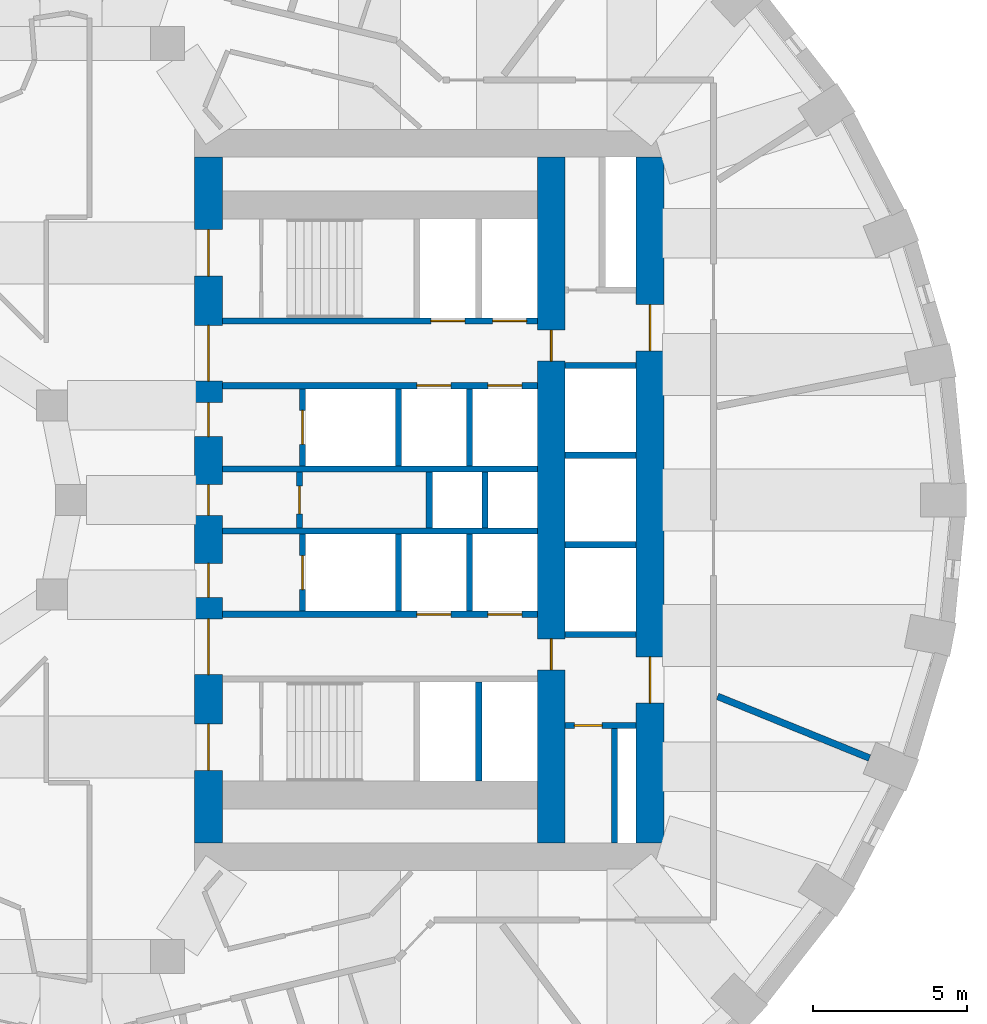
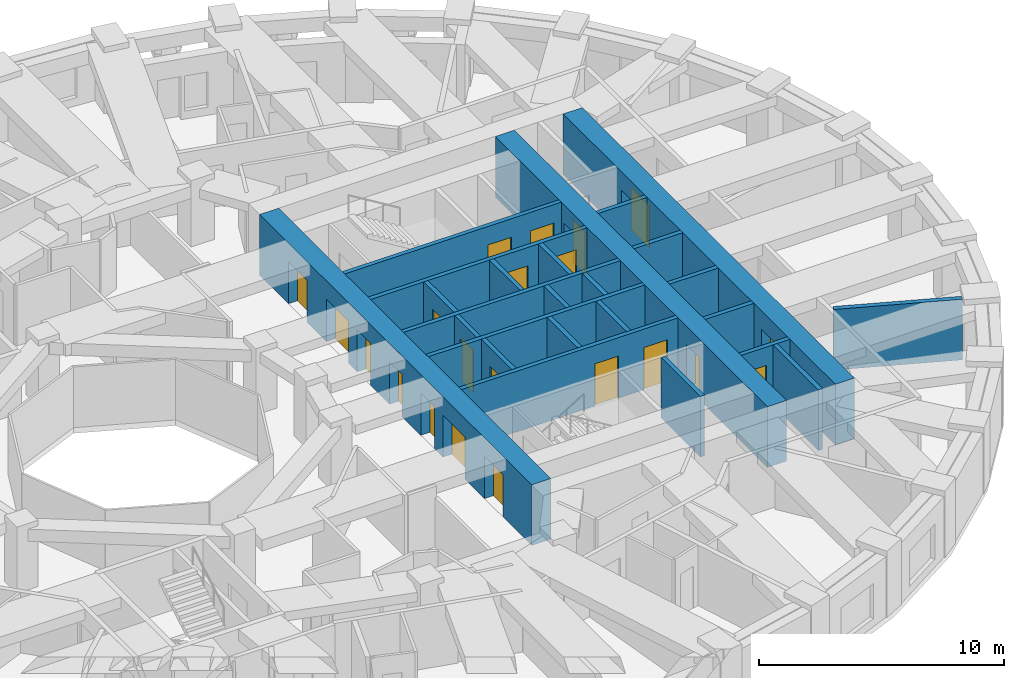
# One storey, part 6 of 14: 25 walls, 21 doors, 21 openings.
"""IFC4 building model written with IfcOpenShell, lengths in metres."""

from ifc_helpers import new_model, si_unit, direction, frame, frame_2d, origin, place, context, subcontext, project, spatial, rectangle, extrude, material, layer, layer_set, type_object, element, fill, save


model = new_model("IFC4")

# Units and contexts
model_context = context("Model", 3, precision=1e-05, world=origin(), true_north=direction((0.0, 1.0)))
body_context = subcontext(model_context, "Body", "Model", "MODEL_VIEW")
ifc_project = project(units=[si_unit("LENGTHUNIT", "METRE"), si_unit("AREAUNIT", "SQUARE_METRE"), si_unit("VOLUMEUNIT", "CUBIC_METRE"), si_unit("PLANEANGLEUNIT", "RADIAN"), si_unit("MASSUNIT", "GRAM", prefix="KILO")], contexts=[model_context])

# Site, building, storey
site_placement = place(None, origin())
site = spatial("IfcSite", under=ifc_project, at=site_placement, CompositionType="ELEMENT")
building_placement = place(site_placement, origin())
building = spatial("IfcBuilding", under=site, at=building_placement, Name="Taillehof Tower", CompositionType="ELEMENT")
storey_placement = place(building_placement, frame((0.0, 0.0, 25.0)))
storey = spatial("IfcBuildingStorey", under=building, at=storey_placement, Name="L05", CompositionType="ELEMENT", Elevation=25.0)

# Wall, opening, door
ifc_material_1 = material(Name="Calcium silicate masonry", Category="masonry")
ifc_layer_1 = layer(ifc_material_1, 0.199951171875)
ifc_layer_set_1 = layer_set([ifc_layer_1], Name="Compartment wall calcium silicate 200")
wall_type_1 = type_object("IfcWallType", Name="Compartment wall calcium silicate 200", PredefinedType="PARTITIONING", material=ifc_layer_set_1)
wall_1_placement = place(storey_placement, frame((7.39990234375, -0.89990234375, 0.0), z_axis=(0.0, 0.0, 1.0), x_axis=(0.0, 1.0, 0.0)))
wall_1 = element("IfcWall", 1, at=wall_1_placement, inside=storey, type_object=wall_type_1, Name="Compartment wall FW", PredefinedType="PARTITIONING", context=body_context, shape_type="SweptSolid", body=[
    extrude(rectangle(XDim=1.7998046875, YDim=0.199951171875, at=frame_2d((0.89990234375, 0.0))), origin(), (0.0, 0.0, 1.0), 3.02001953125),
])
opening_1_placement = place(wall_1_placement, frame((0.449951171875, 0.0, 0.0)))
opening_1 = element("IfcOpeningElement", 2, at=opening_1_placement, cuts=wall_1, Name="Opening D0514", PredefinedType="OPENING", context=body_context, shape_type="SweptSolid", body=[
    extrude(rectangle(XDim=0.89990234375, YDim=2.10009765625, at=frame_2d((0.449951171875, 1.050048828125))), frame((0.0, 0.10986328125, 0.0), z_axis=(0.0, -1.0, 0.0), x_axis=(1.0, 0.0, 0.0)), (0.0, 0.0, 1.0), 0.219970703125),
])
ifc_material_2 = material(Name="Steel-faced fire door", Category="steel")
door_type_1 = type_object("IfcDoorType", Name="Riser and service room door 900x2100", OperationType="SINGLE_SWING_LEFT", PredefinedType="DOOR", material=ifc_material_2)
door_1_placement = place(opening_1_placement, origin())
door_1 = element("IfcDoor", 3, at=door_1_placement, inside=storey, type_object=door_type_1, Name="Door Fire Safety Store", OperationType="SINGLE_SWING_RIGHT", OverallHeight=2.10009765625, OverallWidth=0.89990234375, PredefinedType="DOOR", context=body_context, shape_type="SweptSolid", body=[
    extrude(rectangle(XDim=0.89990234375, YDim=2.10009765625, at=frame_2d((0.449951171875, 1.050048828125))), frame((0.0, 0.02490234375, 0.0), z_axis=(0.0, -1.0, 0.0), x_axis=(1.0, 0.0, 0.0)), (0.0, 0.0, 1.0), 0.050048828125),
])
fill(opening_1, door_1)

# Walls
for number, where, z_axis, x_axis, name in (
    (4, (11.60009765625, -0.89990234375, 0.0), (0.0, 0.0, 1.0), (0.0, 1.0, 0.0), "Compartment wall FW"),
    (5, (13.39990234375, -0.89990234375, 0.0), (0.0, 0.0, 1.0), (0.0, 1.0, 0.0), "Compartment wall FW"),
):
    element("IfcWall", number, at=place(storey_placement, frame(where, z_axis=z_axis, x_axis=x_axis)), inside=storey, type_object=wall_type_1, Name=name, PredefinedType="PARTITIONING", context=body_context, shape_type="SweptSolid", body=[
        extrude(rectangle(XDim=1.7998046875, YDim=0.199951171875, at=frame_2d((0.89990234375, 0.0))), origin(), (0.0, 0.0, 1.0), 3.02001953125),
    ])

# Wall, opening, door
wall_2_placement = place(storey_placement, frame((16.0, -7.300048828125, 0.0), z_axis=(0.0, 0.0, 1.0), x_axis=(1.0, 0.0, 0.0)))
wall_2 = element("IfcWall", 6, at=wall_2_placement, inside=storey, type_object=wall_type_1, Name="Compartment wall FW", PredefinedType="PARTITIONING", context=body_context, shape_type="SweptSolid", body=[
    extrude(rectangle(XDim=2.300048828125, YDim=0.199951171875, at=frame_2d((1.14990234375, 0.0))), origin(), (0.0, 0.0, 1.0), 3.02001953125),
])
opening_2_placement = place(wall_2_placement, frame((0.300048828125, 0.0, 0.0)))
opening_2 = element("IfcOpeningElement", 7, at=opening_2_placement, cuts=wall_2, Name="Opening D0518", PredefinedType="OPENING", context=body_context, shape_type="SweptSolid", body=[
    extrude(rectangle(XDim=0.89990234375, YDim=2.10009765625, at=frame_2d((0.449951171875, 1.050048828125))), frame((0.0, 0.10986328125, 0.0), z_axis=(0.0, -1.0, 0.0), x_axis=(1.0, 0.0, 0.0)), (0.0, 0.0, 1.0), 0.219970703125),
])
door_2_placement = place(opening_2_placement, origin())
door_2 = element("IfcDoor", 8, at=door_2_placement, inside=storey, type_object=door_type_1, Name="Door Housekeeping Store", OperationType="SINGLE_SWING_LEFT", OverallHeight=2.10009765625, OverallWidth=0.89990234375, PredefinedType="DOOR", context=body_context, shape_type="SweptSolid", body=[
    extrude(rectangle(XDim=0.89990234375, YDim=2.10009765625, at=frame_2d((0.449951171875, 1.050048828125))), frame((0.0, 0.02490234375, 0.0), z_axis=(0.0, -1.0, 0.0), x_axis=(1.0, 0.0, 0.0)), (0.0, 0.0, 1.0), 0.050048828125),
])
fill(opening_2, door_2)

# Walls
wall_3_placement = place(storey_placement, frame((17.60009765625, -11.10009765625, 0.0), z_axis=(0.0, 0.0, 1.0), x_axis=(0.0, 1.0, 0.0)))
element("IfcWall", 9, at=wall_3_placement, inside=storey, type_object=wall_type_1, Name="Compartment wall FW", PredefinedType="PARTITIONING", context=body_context, shape_type="SweptSolid", body=[
    extrude(rectangle(XDim=3.7001953125, YDim=0.199951171875, at=frame_2d((1.85009765625, 0.0))), origin(), (0.0, 0.0, 1.0), 3.02001953125),
])
ifc_material_3 = material(Name="Gypsum board on double steel studs with mineral wool", Category="steel")
ifc_layer_2 = layer(ifc_material_3, 0.219970703125)
ifc_layer_set_2 = layer_set([ifc_layer_2], Name="Compartment wall guest room 220")
wall_type_2 = type_object("IfcWallType", Name="Compartment wall guest room 220", PredefinedType="PARTITIONING", material=ifc_layer_set_2)
wall_4_placement = place(storey_placement, frame((25.851318359375, -8.35400390625, 0.0), z_axis=(0.0, 0.0, 1.0), x_axis=(-0.926546814299, 0.376179479653, 0.0)))
element("IfcWall", 10, at=wall_4_placement, inside=storey, type_object=wall_type_2, Name="Compartment wall", PredefinedType="PARTITIONING", context=body_context, shape_type="SweptSolid", body=[
    extrude(rectangle(XDim=5.3037109375, YDim=0.219970703125, at=frame_2d((2.65185546875, 0.0))), origin(), (0.0, 0.0, 1.0), 3.02001953125),
])

# Wall, openings, doors
ifc_material_4 = material(Name="Concrete C80/95", Category="concrete")
ifc_layer_3 = layer(ifc_material_4, 0.89990234375)
ifc_layer_set_3 = layer_set([ifc_layer_3], Name="Core wall C80/95 900")
wall_type_3 = type_object("IfcWallType", Name="Core wall C80/95 900", PredefinedType="SHEAR", material=ifc_layer_set_3)
wall_5_placement = place(storey_placement, frame((4.449951171875, -11.10009765625, 0.0), z_axis=(0.0, 0.0, 1.0), x_axis=(0.0, 1.0, 0.0)))
wall_5 = element("IfcWall", 11, at=wall_5_placement, inside=storey, type_object=wall_type_3, Name="Core wall CW01", PredefinedType="SHEAR", context=body_context, shape_type="SweptSolid", body=[
    extrude(rectangle(XDim=22.2001953125, YDim=0.89990234375, at=frame_2d((11.10009765625, 0.0))), origin(), (0.0, 0.0, 1.0), 3.02001953125),
])
opening_3_placement = place(wall_5_placement, frame((2.35009765625, 0.0, 0.0)))
opening_3 = element("IfcOpeningElement", 12, at=opening_3_placement, cuts=wall_5, Name="Opening D0501", PredefinedType="OPENING", context=body_context, shape_type="SweptSolid", body=[
    extrude(rectangle(XDim=1.5, YDim=2.10009765625, at=frame_2d((0.75, 1.050048828125))), frame((0.0, 0.4599609375, 0.0), z_axis=(0.0, -1.0, 0.0), x_axis=(1.0, 0.0, 0.0)), (0.0, 0.0, 1.0), 0.919921875),
])
opening_4_placement = place(wall_5_placement, frame((5.449951171875, 0.0, 0.0)))
opening_4 = element("IfcOpeningElement", 13, at=opening_4_placement, cuts=wall_5, Name="Opening D0502", PredefinedType="OPENING", context=body_context, shape_type="SweptSolid", body=[
    extrude(rectangle(XDim=1.800048828125, YDim=2.10009765625, at=frame_2d((0.89990234375, 1.050048828125))), frame((0.0, 0.4599609375, 0.0), z_axis=(0.0, -1.0, 0.0), x_axis=(1.0, 0.0, 0.0)), (0.0, 0.0, 1.0), 0.919921875),
])
opening_5_placement = place(wall_5_placement, frame((7.949951171875, 0.0, 0.0)))
opening_5 = element("IfcOpeningElement", 14, at=opening_5_placement, cuts=wall_5, Name="Opening D0503", PredefinedType="OPENING", context=body_context, shape_type="SweptSolid", body=[
    extrude(rectangle(XDim=1.10009765625, YDim=2.10009765625, at=frame_2d((0.550048828125, 1.050048828125))), frame((0.0, 0.4599609375, 0.0), z_axis=(0.0, -1.0, 0.0), x_axis=(1.0, 0.0, 0.0)), (0.0, 0.0, 1.0), 0.919921875),
])
opening_6_placement = place(wall_5_placement, frame((10.60009765625, 0.0, 0.0)))
opening_6 = element("IfcOpeningElement", 15, at=opening_6_placement, cuts=wall_5, Name="Opening D0504", PredefinedType="OPENING", context=body_context, shape_type="SweptSolid", body=[
    extrude(rectangle(XDim=1.0, YDim=2.10009765625, at=frame_2d((0.5, 1.050048828125))), frame((0.0, 0.4599609375, 0.0), z_axis=(0.0, -1.0, 0.0), x_axis=(1.0, 0.0, 0.0)), (0.0, 0.0, 1.0), 0.919921875),
])
opening_7_placement = place(wall_5_placement, frame((13.14990234375, 0.0, 0.0)))
opening_7 = element("IfcOpeningElement", 16, at=opening_7_placement, cuts=wall_5, Name="Opening D0505", PredefinedType="OPENING", context=body_context, shape_type="SweptSolid", body=[
    extrude(rectangle(XDim=1.10009765625, YDim=2.10009765625, at=frame_2d((0.550048828125, 1.050048828125))), frame((0.0, 0.4599609375, 0.0), z_axis=(0.0, -1.0, 0.0), x_axis=(1.0, 0.0, 0.0)), (0.0, 0.0, 1.0), 0.919921875),
])
opening_8_placement = place(wall_5_placement, frame((14.949951171875, 0.0, 0.0)))
opening_8 = element("IfcOpeningElement", 17, at=opening_8_placement, cuts=wall_5, Name="Opening D0506", PredefinedType="OPENING", context=body_context, shape_type="SweptSolid", body=[
    extrude(rectangle(XDim=1.800048828125, YDim=2.10009765625, at=frame_2d((0.89990234375, 1.050048828125))), frame((0.0, 0.4599609375, 0.0), z_axis=(0.0, -1.0, 0.0), x_axis=(1.0, 0.0, 0.0)), (0.0, 0.0, 1.0), 0.919921875),
])
opening_9_placement = place(wall_5_placement, frame((18.35009765625, 0.0, 0.0)))
opening_9 = element("IfcOpeningElement", 18, at=opening_9_placement, cuts=wall_5, Name="Opening D0507", PredefinedType="OPENING", context=body_context, shape_type="SweptSolid", body=[
    extrude(rectangle(XDim=1.5, YDim=2.10009765625, at=frame_2d((0.75, 1.050048828125))), frame((0.0, 0.4599609375, 0.0), z_axis=(0.0, -1.0, 0.0), x_axis=(1.0, 0.0, 0.0)), (0.0, 0.0, 1.0), 0.919921875),
])
ifc_material_5 = material(Name="Steel-faced fire door", Category="steel")
door_type_2 = type_object("IfcDoorType", Name="Firefighting lobby door 1100x2100", OperationType="SINGLE_SWING_RIGHT", PredefinedType="DOOR", material=ifc_material_5)
door_3_placement = place(opening_5_placement, origin())
door_3 = element("IfcDoor", 19, at=door_3_placement, inside=storey, type_object=door_type_2, Name="Firefighting lobby door FFL-S", OperationType="SINGLE_SWING_RIGHT", OverallHeight=2.10009765625, OverallWidth=1.10009765625, PredefinedType="DOOR", context=body_context, shape_type="SweptSolid", body=[
    extrude(rectangle(XDim=1.10009765625, YDim=2.10009765625, at=frame_2d((0.550048828125, 1.050048828125))), frame((0.0, 0.02490234375, 0.0), z_axis=(0.0, -1.0, 0.0), x_axis=(1.0, 0.0, 0.0)), (0.0, 0.0, 1.0), 0.050048828125),
])
fill(opening_5, door_3)
door_4_placement = place(opening_7_placement, origin())
door_4 = element("IfcDoor", 20, at=door_4_placement, inside=storey, type_object=door_type_2, Name="Firefighting lobby door FFL-N", OperationType="SINGLE_SWING_LEFT", OverallHeight=2.10009765625, OverallWidth=1.10009765625, PredefinedType="DOOR", context=body_context, shape_type="SweptSolid", body=[
    extrude(rectangle(XDim=1.10009765625, YDim=2.10009765625, at=frame_2d((0.550048828125, 1.050048828125))), frame((0.0, 0.02490234375, 0.0), z_axis=(0.0, -1.0, 0.0), x_axis=(1.0, 0.0, 0.0)), (0.0, 0.0, 1.0), 0.050048828125),
])
fill(opening_7, door_4)
ifc_material_6 = material(Name="Steel-faced fire door", Category="steel")
door_type_3 = type_object("IfcDoorType", Name="Lift lobby door 1800x2100", OperationType="DOUBLE_DOOR_SINGLE_SWING", PredefinedType="DOOR", material=ifc_material_6)
door_5_placement = place(opening_4_placement, origin())
door_5 = element("IfcDoor", 21, at=door_5_placement, inside=storey, type_object=door_type_3, Name="Lift lobby door LL-S", OperationType="DOUBLE_DOOR_SINGLE_SWING", OverallHeight=2.10009765625, OverallWidth=1.800048828125, PredefinedType="DOOR", context=body_context, shape_type="SweptSolid", body=[
    extrude(rectangle(XDim=1.800048828125, YDim=2.10009765625, at=frame_2d((0.89990234375, 1.050048828125))), frame((0.0, 0.02490234375, 0.0), z_axis=(0.0, -1.0, 0.0), x_axis=(1.0, 0.0, 0.0)), (0.0, 0.0, 1.0), 0.050048828125),
])
fill(opening_4, door_5)
door_6_placement = place(opening_8_placement, origin())
door_6 = element("IfcDoor", 22, at=door_6_placement, inside=storey, type_object=door_type_3, Name="Lift lobby door LL-N", OperationType="DOUBLE_DOOR_SINGLE_SWING", OverallHeight=2.10009765625, OverallWidth=1.800048828125, PredefinedType="DOOR", context=body_context, shape_type="SweptSolid", body=[
    extrude(rectangle(XDim=1.800048828125, YDim=2.10009765625, at=frame_2d((0.89990234375, 1.050048828125))), frame((0.0, 0.02490234375, 0.0), z_axis=(0.0, -1.0, 0.0), x_axis=(1.0, 0.0, 0.0)), (0.0, 0.0, 1.0), 0.050048828125),
])
fill(opening_8, door_6)
ifc_material_7 = material(Name="Steel-faced fire door", Category="steel")
door_type_4 = type_object("IfcDoorType", Name="Service door 1000x2100", OperationType="SINGLE_SWING_RIGHT", PredefinedType="DOOR", material=ifc_material_7)
door_7_placement = place(opening_6_placement, origin())
door_7 = element("IfcDoor", 23, at=door_7_placement, inside=storey, type_object=door_type_4, Name="Service door SV", OperationType="SINGLE_SWING_RIGHT", OverallHeight=2.10009765625, OverallWidth=1.0, PredefinedType="DOOR", context=body_context, shape_type="SweptSolid", body=[
    extrude(rectangle(XDim=1.0, YDim=2.10009765625, at=frame_2d((0.5, 1.050048828125))), frame((0.0, 0.02490234375, 0.0), z_axis=(0.0, -1.0, 0.0), x_axis=(1.0, 0.0, 0.0)), (0.0, 0.0, 1.0), 0.050048828125),
])
fill(opening_6, door_7)
ifc_material_8 = material(Name="Steel-faced fire door", Category="steel")
door_type_5 = type_object("IfcDoorType", Name="Stair door 1500x2100", OperationType="DOUBLE_DOOR_SINGLE_SWING", PredefinedType="DOOR", material=ifc_material_8)
door_8_placement = place(opening_3_placement, origin())
door_8 = element("IfcDoor", 24, at=door_8_placement, inside=storey, type_object=door_type_5, Name="Stair door S2", OperationType="DOUBLE_DOOR_SINGLE_SWING", OverallHeight=2.10009765625, OverallWidth=1.5, PredefinedType="DOOR", context=body_context, shape_type="SweptSolid", body=[
    extrude(rectangle(XDim=1.5, YDim=2.10009765625, at=frame_2d((0.75, 1.050048828125))), frame((0.0, 0.02490234375, 0.0), z_axis=(0.0, -1.0, 0.0), x_axis=(1.0, 0.0, 0.0)), (0.0, 0.0, 1.0), 0.050048828125),
])
fill(opening_3, door_8)
door_9_placement = place(opening_9_placement, origin())
door_9 = element("IfcDoor", 25, at=door_9_placement, inside=storey, type_object=door_type_5, Name="Stair door S1", OperationType="DOUBLE_DOOR_SINGLE_SWING", OverallHeight=2.10009765625, OverallWidth=1.5, PredefinedType="DOOR", context=body_context, shape_type="SweptSolid", body=[
    extrude(rectangle(XDim=1.5, YDim=2.10009765625, at=frame_2d((0.75, 1.050048828125))), frame((0.0, 0.02490234375, 0.0), z_axis=(0.0, -1.0, 0.0), x_axis=(1.0, 0.0, 0.0)), (0.0, 0.0, 1.0), 0.050048828125),
])
fill(opening_9, door_9)

wall_6_placement = place(storey_placement, frame((18.75, -11.10009765625, 0.0), z_axis=(0.0, 0.0, 1.0), x_axis=(0.0, 1.0, 0.0)))
wall_6 = element("IfcWall", 26, at=wall_6_placement, inside=storey, type_object=wall_type_3, Name="Core wall CW02", PredefinedType="SHEAR", context=body_context, shape_type="SweptSolid", body=[
    extrude(rectangle(XDim=22.2001953125, YDim=0.89990234375, at=frame_2d((11.10009765625, 0.0))), origin(), (0.0, 0.0, 1.0), 3.02001953125),
])
opening_10_placement = place(wall_6_placement, frame((15.925048828125, 0.0, 0.0)))
opening_10 = element("IfcOpeningElement", 27, at=opening_10_placement, cuts=wall_6, Name="Opening D0508", PredefinedType="OPENING", context=body_context, shape_type="SweptSolid", body=[
    extrude(rectangle(XDim=1.5, YDim=2.10009765625, at=frame_2d((0.75, 1.050048828125))), frame((0.0, 0.4599609375, 0.0), z_axis=(0.0, -1.0, 0.0), x_axis=(1.0, 0.0, 0.0)), (0.0, 0.0, 1.0), 0.919921875),
])
opening_11_placement = place(wall_6_placement, frame((4.52490234375, 0.0, 0.0)))
opening_11 = element("IfcOpeningElement", 28, at=opening_11_placement, cuts=wall_6, Name="Opening D0509", PredefinedType="OPENING", context=body_context, shape_type="SweptSolid", body=[
    extrude(rectangle(XDim=1.5, YDim=2.10009765625, at=frame_2d((0.75, 1.050048828125))), frame((0.0, 0.4599609375, 0.0), z_axis=(0.0, -1.0, 0.0), x_axis=(1.0, 0.0, 0.0)), (0.0, 0.0, 1.0), 0.919921875),
])
ifc_material_9 = material(Name="Steel-faced fire door", Category="steel")
door_type_6 = type_object("IfcDoorType", Name="Lift lobby east door 1500x2100", OperationType="DOUBLE_DOOR_SINGLE_SWING", PredefinedType="DOOR", material=ifc_material_9)
door_10_placement = place(opening_10_placement, origin())
door_10 = element("IfcDoor", 29, at=door_10_placement, inside=storey, type_object=door_type_6, Name="Lift lobby east door north", OperationType="DOUBLE_DOOR_SINGLE_SWING", OverallHeight=2.10009765625, OverallWidth=1.5, PredefinedType="DOOR", context=body_context, shape_type="SweptSolid", body=[
    extrude(rectangle(XDim=1.5, YDim=2.10009765625, at=frame_2d((0.75, 1.050048828125))), frame((0.0, 0.02490234375, 0.0), z_axis=(0.0, -1.0, 0.0), x_axis=(1.0, 0.0, 0.0)), (0.0, 0.0, 1.0), 0.050048828125),
])
fill(opening_10, door_10)
door_11_placement = place(opening_11_placement, origin())
door_11 = element("IfcDoor", 30, at=door_11_placement, inside=storey, type_object=door_type_6, Name="Lift lobby east door south", OperationType="DOUBLE_DOOR_SINGLE_SWING", OverallHeight=2.10009765625, OverallWidth=1.5, PredefinedType="DOOR", context=body_context, shape_type="SweptSolid", body=[
    extrude(rectangle(XDim=1.5, YDim=2.10009765625, at=frame_2d((0.75, 1.050048828125))), frame((0.0, 0.02490234375, 0.0), z_axis=(0.0, -1.0, 0.0), x_axis=(1.0, 0.0, 0.0)), (0.0, 0.0, 1.0), 0.050048828125),
])
fill(opening_11, door_11)

wall_7_placement = place(storey_placement, frame((15.550048828125, -11.10009765625, 0.0), z_axis=(0.0, 0.0, 1.0), x_axis=(0.0, 1.0, 0.0)))
wall_7 = element("IfcWall", 31, at=wall_7_placement, inside=storey, type_object=wall_type_3, Name="Core wall CW05", PredefinedType="SHEAR", context=body_context, shape_type="SweptSolid", body=[
    extrude(rectangle(XDim=22.2001953125, YDim=0.89990234375, at=frame_2d((11.10009765625, 0.0))), origin(), (0.0, 0.0, 1.0), 3.02001953125),
])
opening_12_placement = place(wall_7_placement, frame((15.60009765625, 0.0, 0.0)))
opening_12 = element("IfcOpeningElement", 32, at=opening_12_placement, cuts=wall_7, Name="Opening D0515", PredefinedType="OPENING", context=body_context, shape_type="SweptSolid", body=[
    extrude(rectangle(XDim=1.0, YDim=2.10009765625, at=frame_2d((0.5, 1.050048828125))), frame((0.0, 0.4599609375, 0.0), z_axis=(0.0, -1.0, 0.0), x_axis=(1.0, 0.0, 0.0)), (0.0, 0.0, 1.0), 0.919921875),
])
opening_13_placement = place(wall_7_placement, frame((5.60009765625, 0.0, 0.0)))
opening_13 = element("IfcOpeningElement", 33, at=opening_13_placement, cuts=wall_7, Name="Opening D0517", PredefinedType="OPENING", context=body_context, shape_type="SweptSolid", body=[
    extrude(rectangle(XDim=1.0, YDim=2.10009765625, at=frame_2d((0.5, 1.050048828125))), frame((0.0, 0.4599609375, 0.0), z_axis=(0.0, -1.0, 0.0), x_axis=(1.0, 0.0, 0.0)), (0.0, 0.0, 1.0), 0.919921875),
])
door_12_placement = place(opening_12_placement, origin())
door_12 = element("IfcDoor", 34, at=door_12_placement, inside=storey, type_object=door_type_4, Name="Service door strip", OperationType="SINGLE_SWING_RIGHT", OverallHeight=2.10009765625, OverallWidth=1.0, PredefinedType="DOOR", context=body_context, shape_type="SweptSolid", body=[
    extrude(rectangle(XDim=1.0, YDim=2.10009765625, at=frame_2d((0.5, 1.050048828125))), frame((0.0, 0.02490234375, 0.0), z_axis=(0.0, -1.0, 0.0), x_axis=(1.0, 0.0, 0.0)), (0.0, 0.0, 1.0), 0.050048828125),
])
fill(opening_12, door_12)
door_13_placement = place(opening_13_placement, origin())
door_13 = element("IfcDoor", 35, at=door_13_placement, inside=storey, type_object=door_type_4, Name="Service door strip", OperationType="SINGLE_SWING_LEFT", OverallHeight=2.10009765625, OverallWidth=1.0, PredefinedType="DOOR", context=body_context, shape_type="SweptSolid", body=[
    extrude(rectangle(XDim=1.0, YDim=2.10009765625, at=frame_2d((0.5, 1.050048828125))), frame((0.0, 0.02490234375, 0.0), z_axis=(0.0, -1.0, 0.0), x_axis=(1.0, 0.0, 0.0)), (0.0, 0.0, 1.0), 0.050048828125),
])
fill(opening_13, door_13)

ifc_material_10 = material(Name="Concrete C50/60", Category="concrete")
ifc_layer_4 = layer(ifc_material_10, 0.199951171875)
ifc_layer_set_4 = layer_set([ifc_layer_4], Name="Shaft wall C50/60 200")
wall_type_4 = type_object("IfcWallType", Name="Shaft wall C50/60 200", PredefinedType="SHEAR", material=ifc_layer_set_4)
wall_8_placement = place(storey_placement, frame((4.89990234375, 5.800048828125, 0.0), z_axis=(0.0, 0.0, 1.0), x_axis=(1.0, 0.0, 0.0)))
wall_8 = element("IfcWall", 36, at=wall_8_placement, inside=storey, type_object=wall_type_4, Name="Shaft wall SW", PredefinedType="SHEAR", context=body_context, shape_type="SweptSolid", body=[
    extrude(rectangle(XDim=10.2001953125, YDim=0.199951171875, at=frame_2d((5.10009765625, 0.0))), origin(), (0.0, 0.0, 1.0), 3.02001953125),
])
opening_14_placement = place(wall_8_placement, frame((6.75, 0.0, 0.0)))
opening_14 = element("IfcOpeningElement", 37, at=opening_14_placement, cuts=wall_8, Name="Opening LD1", PredefinedType="OPENING", context=body_context, shape_type="SweptSolid", body=[
    extrude(rectangle(XDim=1.10009765625, YDim=2.10009765625, at=frame_2d((0.550048828125, 1.050048828125))), frame((0.0, 0.10986328125, 0.0), z_axis=(0.0, -1.0, 0.0), x_axis=(1.0, 0.0, 0.0)), (0.0, 0.0, 1.0), 0.219970703125),
])
opening_15_placement = place(wall_8_placement, frame((8.75, 0.0, 0.0)))
opening_15 = element("IfcOpeningElement", 38, at=opening_15_placement, cuts=wall_8, Name="Opening LD1", PredefinedType="OPENING", context=body_context, shape_type="SweptSolid", body=[
    extrude(rectangle(XDim=1.10009765625, YDim=2.10009765625, at=frame_2d((0.550048828125, 1.050048828125))), frame((0.0, 0.10986328125, 0.0), z_axis=(0.0, -1.0, 0.0), x_axis=(1.0, 0.0, 0.0)), (0.0, 0.0, 1.0), 0.219970703125),
])
ifc_material_11 = material(Name="Stainless steel", Category="steel")
door_type_7 = type_object("IfcDoorType", Name="Lift landing door LD1 1100x2100", OperationType="DOUBLE_DOOR_SLIDING", PredefinedType="DOOR", material=ifc_material_11)
door_14_placement = place(opening_14_placement, origin())
door_14 = element("IfcDoor", 39, at=door_14_placement, inside=storey, type_object=door_type_7, Name="Landing door LR1", OperationType="DOUBLE_DOOR_SLIDING", OverallHeight=2.10009765625, OverallWidth=1.10009765625, PredefinedType="DOOR", context=body_context, shape_type="SweptSolid", body=[
    extrude(rectangle(XDim=1.10009765625, YDim=2.10009765625, at=frame_2d((0.550048828125, 1.050048828125))), frame((0.0, 0.02490234375, 0.0), z_axis=(0.0, -1.0, 0.0), x_axis=(1.0, 0.0, 0.0)), (0.0, 0.0, 1.0), 0.050048828125),
])
fill(opening_14, door_14)
door_15_placement = place(opening_15_placement, origin())
door_15 = element("IfcDoor", 40, at=door_15_placement, inside=storey, type_object=door_type_7, Name="Landing door LR2", OperationType="DOUBLE_DOOR_SLIDING", OverallHeight=2.10009765625, OverallWidth=1.10009765625, PredefinedType="DOOR", context=body_context, shape_type="SweptSolid", body=[
    extrude(rectangle(XDim=1.10009765625, YDim=2.10009765625, at=frame_2d((0.550048828125, 1.050048828125))), frame((0.0, 0.02490234375, 0.0), z_axis=(0.0, -1.0, 0.0), x_axis=(1.0, 0.0, 0.0)), (0.0, 0.0, 1.0), 0.050048828125),
])
fill(opening_15, door_15)

wall_9_placement = place(storey_placement, frame((4.89990234375, 3.699951171875, 0.0), z_axis=(0.0, 0.0, 1.0), x_axis=(1.0, 0.0, 0.0)))
wall_9 = element("IfcWall", 41, at=wall_9_placement, inside=storey, type_object=wall_type_4, Name="Shaft wall SW", PredefinedType="SHEAR", context=body_context, shape_type="SweptSolid", body=[
    extrude(rectangle(XDim=10.2001953125, YDim=0.199951171875, at=frame_2d((5.10009765625, 0.0))), origin(), (0.0, 0.0, 1.0), 3.02001953125),
])
opening_16_placement = place(wall_9_placement, frame((6.300048828125, 0.0, 0.0)))
opening_16 = element("IfcOpeningElement", 42, at=opening_16_placement, cuts=wall_9, Name="Opening LD1", PredefinedType="OPENING", context=body_context, shape_type="SweptSolid", body=[
    extrude(rectangle(XDim=1.10009765625, YDim=2.10009765625, at=frame_2d((0.550048828125, 1.050048828125))), frame((0.0, 0.10986328125, 0.0), z_axis=(0.0, -1.0, 0.0), x_axis=(1.0, 0.0, 0.0)), (0.0, 0.0, 1.0), 0.219970703125),
])
opening_17_placement = place(wall_9_placement, frame((8.60009765625, 0.0, 0.0)))
opening_17 = element("IfcOpeningElement", 43, at=opening_17_placement, cuts=wall_9, Name="Opening LD1", PredefinedType="OPENING", context=body_context, shape_type="SweptSolid", body=[
    extrude(rectangle(XDim=1.10009765625, YDim=2.10009765625, at=frame_2d((0.550048828125, 1.050048828125))), frame((0.0, 0.10986328125, 0.0), z_axis=(0.0, -1.0, 0.0), x_axis=(1.0, 0.0, 0.0)), (0.0, 0.0, 1.0), 0.219970703125),
])
door_16_placement = place(opening_16_placement, origin())
door_16 = element("IfcDoor", 44, at=door_16_placement, inside=storey, type_object=door_type_7, Name="Landing door LR3", OperationType="DOUBLE_DOOR_SLIDING", OverallHeight=2.10009765625, OverallWidth=1.10009765625, PredefinedType="DOOR", context=body_context, shape_type="SweptSolid", body=[
    extrude(rectangle(XDim=1.10009765625, YDim=2.10009765625, at=frame_2d((0.550048828125, 1.050048828125))), frame((0.0, 0.02490234375, 0.0), z_axis=(0.0, -1.0, 0.0), x_axis=(1.0, 0.0, 0.0)), (0.0, 0.0, 1.0), 0.050048828125),
])
fill(opening_16, door_16)
door_17_placement = place(opening_17_placement, origin())
door_17 = element("IfcDoor", 45, at=door_17_placement, inside=storey, type_object=door_type_7, Name="Landing door LR4", OperationType="DOUBLE_DOOR_SLIDING", OverallHeight=2.10009765625, OverallWidth=1.10009765625, PredefinedType="DOOR", context=body_context, shape_type="SweptSolid", body=[
    extrude(rectangle(XDim=1.10009765625, YDim=2.10009765625, at=frame_2d((0.550048828125, 1.050048828125))), frame((0.0, 0.02490234375, 0.0), z_axis=(0.0, -1.0, 0.0), x_axis=(1.0, 0.0, 0.0)), (0.0, 0.0, 1.0), 0.050048828125),
])
fill(opening_17, door_17)

# Walls
for number, where, z_axis, x_axis, name in (
    (46, (4.89990234375, 1.0, 0.0), (0.0, 0.0, 1.0), (1.0, 0.0, 0.0), "Shaft wall SW"),
    (47, (4.89990234375, -1.0, 0.0), (0.0, 0.0, 1.0), (1.0, 0.0, 0.0), "Shaft wall SW"),
):
    element("IfcWall", number, at=place(storey_placement, frame(where, z_axis=z_axis, x_axis=x_axis)), inside=storey, type_object=wall_type_4, Name=name, PredefinedType="SHEAR", context=body_context, shape_type="SweptSolid", body=[
        extrude(rectangle(XDim=10.2001953125, YDim=0.199951171875, at=frame_2d((5.10009765625, 0.0))), origin(), (0.0, 0.0, 1.0), 3.02001953125),
    ])

# Wall, openings, doors
wall_10_placement = place(storey_placement, frame((4.89990234375, -3.699951171875, 0.0), z_axis=(0.0, 0.0, 1.0), x_axis=(1.0, 0.0, 0.0)))
wall_10 = element("IfcWall", 48, at=wall_10_placement, inside=storey, type_object=wall_type_4, Name="Shaft wall SW", PredefinedType="SHEAR", context=body_context, shape_type="SweptSolid", body=[
    extrude(rectangle(XDim=10.2001953125, YDim=0.199951171875, at=frame_2d((5.10009765625, 0.0))), origin(), (0.0, 0.0, 1.0), 3.02001953125),
])
opening_18_placement = place(wall_10_placement, frame((6.300048828125, 0.0, 0.0)))
opening_18 = element("IfcOpeningElement", 49, at=opening_18_placement, cuts=wall_10, Name="Opening LD1", PredefinedType="OPENING", context=body_context, shape_type="SweptSolid", body=[
    extrude(rectangle(XDim=1.10009765625, YDim=2.10009765625, at=frame_2d((0.550048828125, 1.050048828125))), frame((0.0, 0.10986328125, 0.0), z_axis=(0.0, -1.0, 0.0), x_axis=(1.0, 0.0, 0.0)), (0.0, 0.0, 1.0), 0.219970703125),
])
opening_19_placement = place(wall_10_placement, frame((8.60009765625, 0.0, 0.0)))
opening_19 = element("IfcOpeningElement", 50, at=opening_19_placement, cuts=wall_10, Name="Opening LD1", PredefinedType="OPENING", context=body_context, shape_type="SweptSolid", body=[
    extrude(rectangle(XDim=1.10009765625, YDim=2.10009765625, at=frame_2d((0.550048828125, 1.050048828125))), frame((0.0, 0.10986328125, 0.0), z_axis=(0.0, -1.0, 0.0), x_axis=(1.0, 0.0, 0.0)), (0.0, 0.0, 1.0), 0.219970703125),
])
door_18_placement = place(opening_18_placement, origin())
door_18 = element("IfcDoor", 51, at=door_18_placement, inside=storey, type_object=door_type_7, Name="Landing door LR5", OperationType="DOUBLE_DOOR_SLIDING", OverallHeight=2.10009765625, OverallWidth=1.10009765625, PredefinedType="DOOR", context=body_context, shape_type="SweptSolid", body=[
    extrude(rectangle(XDim=1.10009765625, YDim=2.10009765625, at=frame_2d((0.550048828125, 1.050048828125))), frame((0.0, 0.02490234375, 0.0), z_axis=(0.0, -1.0, 0.0), x_axis=(1.0, 0.0, 0.0)), (0.0, 0.0, 1.0), 0.050048828125),
])
fill(opening_18, door_18)
door_19_placement = place(opening_19_placement, origin())
door_19 = element("IfcDoor", 52, at=door_19_placement, inside=storey, type_object=door_type_7, Name="Landing door LR6", OperationType="DOUBLE_DOOR_SLIDING", OverallHeight=2.10009765625, OverallWidth=1.10009765625, PredefinedType="DOOR", context=body_context, shape_type="SweptSolid", body=[
    extrude(rectangle(XDim=1.10009765625, YDim=2.10009765625, at=frame_2d((0.550048828125, 1.050048828125))), frame((0.0, 0.02490234375, 0.0), z_axis=(0.0, -1.0, 0.0), x_axis=(1.0, 0.0, 0.0)), (0.0, 0.0, 1.0), 0.050048828125),
])
fill(opening_19, door_19)

# Wall
wall_11_placement = place(storey_placement, frame((13.199951171875, -9.10009765625, 0.0), z_axis=(0.0, 0.0, 1.0), x_axis=(0.0, 1.0, 0.0)))
element("IfcWall", 53, at=wall_11_placement, inside=storey, type_object=wall_type_4, Name="Shaft wall SW", PredefinedType="SHEAR", context=body_context, shape_type="SweptSolid", body=[
    extrude(rectangle(XDim=3.2001953125, YDim=0.199951171875, at=frame_2d((1.60009765625, 0.0))), origin(), (0.0, 0.0, 1.0), 3.02001953125),
])

# Wall, opening, door
wall_12_placement = place(storey_placement, frame((7.5, 1.10009765625, 0.0), z_axis=(0.0, 0.0, 1.0), x_axis=(0.0, 1.0, 0.0)))
wall_12 = element("IfcWall", 54, at=wall_12_placement, inside=storey, type_object=wall_type_4, Name="Shaft wall SW", PredefinedType="SHEAR", context=body_context, shape_type="SweptSolid", body=[
    extrude(rectangle(XDim=2.5, YDim=0.199951171875, at=frame_2d((1.25, 0.0))), origin(), (0.0, 0.0, 1.0), 3.02001953125),
])
opening_20_placement = place(wall_12_placement, frame((0.699951171875, 0.0, 0.0)))
opening_20 = element("IfcOpeningElement", 55, at=opening_20_placement, cuts=wall_12, Name="Opening LD1", PredefinedType="OPENING", context=body_context, shape_type="SweptSolid", body=[
    extrude(rectangle(XDim=1.10009765625, YDim=2.10009765625, at=frame_2d((0.550048828125, 1.050048828125))), frame((0.0, 0.10986328125, 0.0), z_axis=(0.0, -1.0, 0.0), x_axis=(1.0, 0.0, 0.0)), (0.0, 0.0, 1.0), 0.219970703125),
])
door_20_placement = place(opening_20_placement, origin())
door_20 = element("IfcDoor", 56, at=door_20_placement, inside=storey, type_object=door_type_7, Name="Landing door FF1", OperationType="DOUBLE_DOOR_SLIDING", OverallHeight=2.10009765625, OverallWidth=1.10009765625, PredefinedType="DOOR", context=body_context, shape_type="SweptSolid", body=[
    extrude(rectangle(XDim=1.10009765625, YDim=2.10009765625, at=frame_2d((0.550048828125, 1.050048828125))), frame((0.0, 0.02490234375, 0.0), z_axis=(0.0, -1.0, 0.0), x_axis=(1.0, 0.0, 0.0)), (0.0, 0.0, 1.0), 0.050048828125),
])
fill(opening_20, door_20)

wall_13_placement = place(storey_placement, frame((7.5, -3.60009765625, 0.0), z_axis=(0.0, 0.0, 1.0), x_axis=(0.0, 1.0, 0.0)))
wall_13 = element("IfcWall", 57, at=wall_13_placement, inside=storey, type_object=wall_type_4, Name="Shaft wall SW", PredefinedType="SHEAR", context=body_context, shape_type="SweptSolid", body=[
    extrude(rectangle(XDim=2.5, YDim=0.199951171875, at=frame_2d((1.25, 0.0))), origin(), (0.0, 0.0, 1.0), 3.02001953125),
])
opening_21_placement = place(wall_13_placement, frame((0.699951171875, 0.0, 0.0)))
opening_21 = element("IfcOpeningElement", 58, at=opening_21_placement, cuts=wall_13, Name="Opening LD1", PredefinedType="OPENING", context=body_context, shape_type="SweptSolid", body=[
    extrude(rectangle(XDim=1.10009765625, YDim=2.10009765625, at=frame_2d((0.550048828125, 1.050048828125))), frame((0.0, 0.10986328125, 0.0), z_axis=(0.0, -1.0, 0.0), x_axis=(1.0, 0.0, 0.0)), (0.0, 0.0, 1.0), 0.219970703125),
])
door_21_placement = place(opening_21_placement, origin())
door_21 = element("IfcDoor", 59, at=door_21_placement, inside=storey, type_object=door_type_7, Name="Landing door FF2", OperationType="DOUBLE_DOOR_SLIDING", OverallHeight=2.10009765625, OverallWidth=1.10009765625, PredefinedType="DOOR", context=body_context, shape_type="SweptSolid", body=[
    extrude(rectangle(XDim=1.10009765625, YDim=2.10009765625, at=frame_2d((0.550048828125, 1.050048828125))), frame((0.0, 0.02490234375, 0.0), z_axis=(0.0, -1.0, 0.0), x_axis=(1.0, 0.0, 0.0)), (0.0, 0.0, 1.0), 0.050048828125),
])
fill(opening_21, door_21)

# Walls
for number, where, z_axis, x_axis, name in (
    (60, (10.60009765625, 1.10009765625, 0.0), (0.0, 0.0, 1.0), (0.0, 1.0, 0.0), "Shaft wall SW"),
    (61, (10.60009765625, -3.60009765625, 0.0), (0.0, 0.0, 1.0), (0.0, 1.0, 0.0), "Shaft wall SW"),
    (62, (12.89990234375, 1.10009765625, 0.0), (0.0, 0.0, 1.0), (0.0, 1.0, 0.0), "Shaft wall SW"),
    (63, (12.89990234375, -3.60009765625, 0.0), (0.0, 0.0, 1.0), (0.0, 1.0, 0.0), "Shaft wall SW"),
):
    element("IfcWall", number, at=place(storey_placement, frame(where, z_axis=z_axis, x_axis=x_axis)), inside=storey, type_object=wall_type_4, Name=name, PredefinedType="SHEAR", context=body_context, shape_type="SweptSolid", body=[
        extrude(rectangle(XDim=2.5, YDim=0.199951171875, at=frame_2d((1.25, 0.0))), origin(), (0.0, 0.0, 1.0), 3.02001953125),
    ])
for number, where, z_axis, x_axis, name in (
    (64, (16.0, -4.35009765625, 0.0), (0.0, 0.0, 1.0), (1.0, 0.0, 0.0), "Shaft wall SW"),
    (65, (16.0, -1.449951171875, 0.0), (0.0, 0.0, 1.0), (1.0, 0.0, 0.0), "Shaft wall SW"),
    (66, (16.0, 1.449951171875, 0.0), (0.0, 0.0, 1.0), (1.0, 0.0, 0.0), "Shaft wall SW"),
    (67, (16.0, 4.35009765625, 0.0), (0.0, 0.0, 1.0), (1.0, 0.0, 0.0), "Shaft wall SW"),
):
    element("IfcWall", number, at=place(storey_placement, frame(where, z_axis=z_axis, x_axis=x_axis)), inside=storey, type_object=wall_type_4, Name=name, PredefinedType="SHEAR", context=body_context, shape_type="SweptSolid", body=[
        extrude(rectangle(XDim=2.300048828125, YDim=0.199951171875, at=frame_2d((1.14990234375, 0.0))), origin(), (0.0, 0.0, 1.0), 3.02001953125),
    ])

save(model, "model.ifc")
